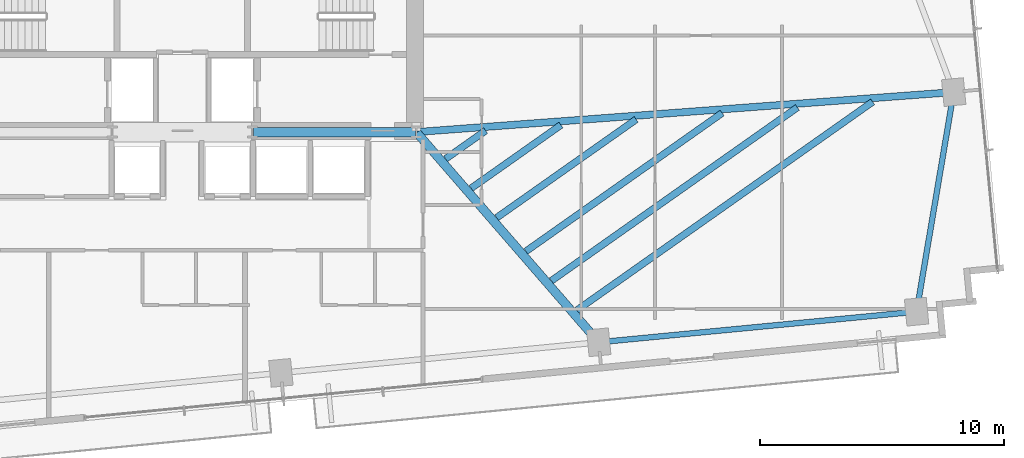
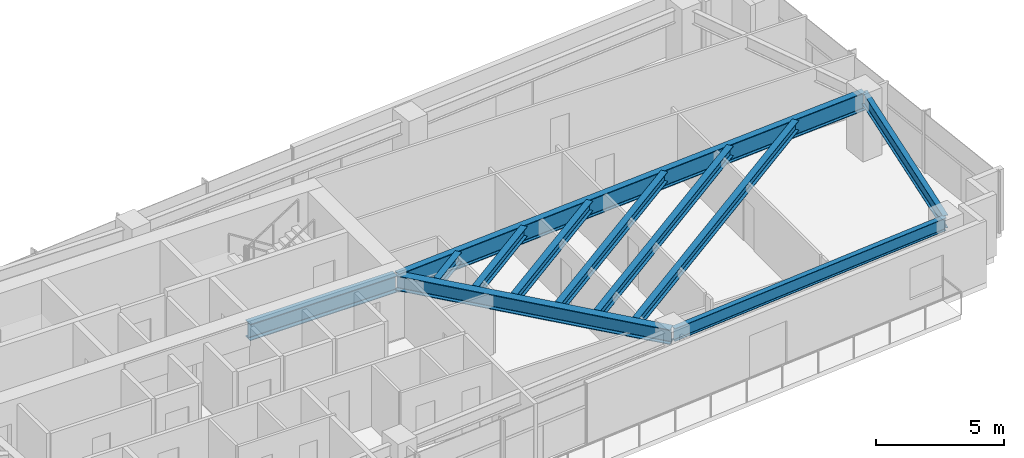
# One storey, part 13 of 25: 11 beams.
"""IFC4 building model written with IfcOpenShell, lengths in metres."""

from ifc_helpers import new_model, si_unit, direction, frame, origin, origin_2d, place, context, subcontext, project, spatial, i_section, extrude, source, transform, mapped, material, material_profile, profile_set, type_object, type_shapes, element, save


model = new_model("IFC4")

# Units and contexts
model_context = context("Model", 3, precision=1e-05, world=origin(), true_north=direction((0.0, 1.0)))
body_context = subcontext(model_context, "Body", "Model", "MODEL_VIEW")
ifc_project = project(units=[si_unit("LENGTHUNIT", "METRE"), si_unit("AREAUNIT", "SQUARE_METRE"), si_unit("VOLUMEUNIT", "CUBIC_METRE"), si_unit("PLANEANGLEUNIT", "RADIAN"), si_unit("MASSUNIT", "GRAM", prefix="KILO")], contexts=[model_context])

# Site, building, storey
site_placement = place(None, origin())
site = spatial("IfcSite", under=ifc_project, at=site_placement, CompositionType="ELEMENT")
building_placement = place(site_placement, origin())
building = spatial("IfcBuilding", under=site, at=building_placement, Name="Astriad Promenade Condominiums", CompositionType="ELEMENT")
storey_placement = place(building_placement, frame((0.0, 0.0, 106.60009765625)))
storey = spatial("IfcBuildingStorey", under=building, at=storey_placement, Name="L30", CompositionType="ELEMENT", Elevation=106.60009765625)

# Beams
ifc_material = material(Name="Steel ASTM A992 Grade 50", Category="steel")
ifc_material_profile_1 = material_profile(ifc_material, i_section(OverallWidth=0.3837890625, OverallDepth=0.785888671875, WebThickness=0.019775390625, FlangeThickness=0.033447265625, FilletRadius=0.021484375, at=origin_2d()), Name="W30X211")
ifc_profile_set_1 = profile_set([ifc_material_profile_1], Name="Steel ASTM A992 Grade 50")
beam_type_1 = type_object("IfcBeamType", Name="STEEL FLOOR GIRDER W30X211", PredefinedType="BEAM", material=ifc_profile_set_1)
shared_shape_1 = source(origin(), body_context, "Body", "SweptSolid", [
    extrude(i_section(OverallWidth=0.3837890625, OverallDepth=0.785888671875, WebThickness=0.019775390625, FlangeThickness=0.033447265625, FilletRadius=0.021484375, at=origin_2d()), origin(), (0.0, 0.0, 1.0), 6.64013671875),
])
type_shapes(beam_type_1, [shared_shape_1])
beam_1_placement = place(storey_placement, frame((38.919921875, 17.39990234375, 2.547119140625), z_axis=(1.0, 0.0, 0.0), x_axis=(0.0, 1.0, 0.0)))
element("IfcBeam", 1, at=beam_1_placement, inside=storey, type_object=beam_type_1, Name="Core Ring Beam CG-S3-L30", PredefinedType="BEAM", context=body_context, shape_type="MappedRepresentation", body=[
    mapped(shared_shape_1, transform((0.0, 0.0, 0.0), scale=1.0)),
])
ifc_material_profile_2 = material_profile(ifc_material, i_section(OverallWidth=0.22900390625, OverallDepth=0.612060546875, WebThickness=0.011962890625, FlangeThickness=0.01953125, FilletRadius=0.017822265625, at=origin_2d()), Name="W24X84")
ifc_profile_set_2 = profile_set([ifc_material_profile_2], Name="Steel ASTM A992 Grade 50")
beam_type_2 = type_object("IfcBeamType", Name="STEEL SPANDREL BEAM W24X84", PredefinedType="SPANDREL", material=ifc_profile_set_2)
shared_shape_2 = source(origin(), body_context, "Body", "SweptSolid", [
    extrude(i_section(OverallWidth=0.22900390625, OverallDepth=0.612060546875, WebThickness=0.011962890625, FlangeThickness=0.01953125, FilletRadius=0.017822265625, at=origin_2d()), origin(), (0.0, 0.0, 1.0), 13.020263671875),
])
beam_2_placement = place(storey_placement, frame((53.124755859375, 8.780029296875, 2.6337890625), z_axis=(0.995395311238, 0.095854965264, 0.0), x_axis=(-0.095854965264, 0.995395311238, 0.0)))
element("IfcBeam", 2, at=beam_2_placement, inside=storey, type_object=beam_type_2, Name="Perimeter Spandrel Beam SP-S4-L30", PredefinedType="SPANDREL", context=body_context, shape_type="MappedRepresentation", body=[
    mapped(shared_shape_2, transform((0.0, 0.0, 0.0), scale=1.0)),
])
shared_shape_3 = source(origin(), body_context, "Body", "SweptSolid", [
    extrude(i_section(OverallWidth=0.22900390625, OverallDepth=0.612060546875, WebThickness=0.011962890625, FlangeThickness=0.01953125, FilletRadius=0.017822265625, at=origin_2d()), origin(), (0.0, 0.0, 1.0), 9.055419921875),
])
type_shapes(beam_type_2, [shared_shape_2, shared_shape_3])
beam_3_placement = place(storey_placement, frame((66.13134765625, 10.0712890625, 2.6337890625), z_axis=(0.166776851291, 0.98599466625, 0.0), x_axis=(-0.98599466625, 0.166776851291, 0.0)))
element("IfcBeam", 3, at=beam_3_placement, inside=storey, type_object=beam_type_2, Name="Perimeter Spandrel Beam SP-E1-L30", PredefinedType="SPANDREL", context=body_context, shape_type="MappedRepresentation", body=[
    mapped(shared_shape_3, transform((0.0, 0.0, 0.0), scale=1.0)),
])
ifc_material_profile_3 = material_profile(ifc_material, i_section(OverallWidth=0.35791015625, OverallDepth=0.706298828125, WebThickness=0.018310546875, FlangeThickness=0.0302734375, FilletRadius=0.020263671875, at=origin_2d()), Name="W27X178")
ifc_profile_set_3 = profile_set([ifc_material_profile_3], Name="Steel ASTM A992 Grade 50")
beam_type_3 = type_object("IfcBeamType", Name="STEEL FLOOR GIRDER W27X178", PredefinedType="BEAM", material=ifc_profile_set_3)
shared_shape_4 = source(origin(), body_context, "Body", "SweptSolid", [
    extrude(i_section(OverallWidth=0.35791015625, OverallDepth=0.706298828125, WebThickness=0.018310546875, FlangeThickness=0.0302734375, FilletRadius=0.020263671875, at=origin_2d()), origin(), (0.0, 0.0, 1.0), 11.339111328125),
])
type_shapes(beam_type_3, [shared_shape_4])
beam_4_placement = place(storey_placement, frame((53.058837890625, 8.806396484375, 2.586669921875), z_axis=(-0.65548120109, 0.755211490258, 0.0), x_axis=(-0.755211490258, -0.65548120109, 0.0)))
element("IfcBeam", 4, at=beam_4_placement, inside=storey, type_object=beam_type_3, Name="Primary Floor Girder PG-E2-L30", PredefinedType="BEAM", context=body_context, shape_type="MappedRepresentation", body=[
    mapped(shared_shape_4, transform((0.0, 0.0, 0.0), scale=1.0)),
])
ifc_material_profile_4 = material_profile(ifc_material, i_section(OverallWidth=0.2919921875, OverallDepth=0.85888671875, WebThickness=0.01708984375, FlangeThickness=0.031005859375, FilletRadius=0.02294921875, at=origin_2d()), Name="W33X169")
ifc_profile_set_4 = profile_set([ifc_material_profile_4], Name="Steel ASTM A992 Grade 50")
beam_type_4 = type_object("IfcBeamType", Name="STEEL PRIMARY GIRDER W33X169", PredefinedType="BEAM", material=ifc_profile_set_4)
shared_shape_5 = source(origin(), body_context, "Body", "SweptSolid", [
    extrude(i_section(OverallWidth=0.2919921875, OverallDepth=0.85888671875, WebThickness=0.01708984375, FlangeThickness=0.031005859375, FilletRadius=0.02294921875, at=origin_2d()), origin(), (0.0, 0.0, 1.0), 22.029052734375),
])
type_shapes(beam_type_4, [shared_shape_5])
beam_5_placement = place(storey_placement, frame((67.6083984375, 19.036376953125, 2.510498046875), z_axis=(-0.99724763887, -0.074142745897, 0.0), x_axis=(0.074142745897, -0.99724763887, 0.0)))
element("IfcBeam", 5, at=beam_5_placement, inside=storey, type_object=beam_type_4, Name="Primary Floor Girder PG-EM-L30", PredefinedType="BEAM", context=body_context, shape_type="MappedRepresentation", body=[
    mapped(shared_shape_5, transform((0.0, 0.0, 0.0), scale=1.0)),
])
ifc_material_profile_5 = material_profile(ifc_material, i_section(OverallWidth=0.283203125, OverallDepth=0.47216796875, WebThickness=0.013671875, FlangeThickness=0.022216796875, FilletRadius=0.01513671875, at=origin_2d()), Name="W18X97")
ifc_profile_set_5 = profile_set([ifc_material_profile_5], Name="Steel ASTM A992 Grade 50")
beam_type_5 = type_object("IfcBeamType", Name="STEEL FLOOR JOIST W18X97", PredefinedType="JOIST", material=ifc_profile_set_5)
shared_shape_6 = source(origin(), body_context, "Body", "SweptSolid", [
    extrude(i_section(OverallWidth=0.283203125, OverallDepth=0.47216796875, WebThickness=0.013671875, FlangeThickness=0.022216796875, FilletRadius=0.01513671875, at=origin_2d()), origin(), (0.0, 0.0, 1.0), 14.838134765625),
])
beam_6_placement = place(storey_placement, frame((52.192138671875, 10.093017578125, 2.703857421875), z_axis=(0.817419044294, 0.576043493171, 0.0), x_axis=(-0.576043493171, 0.817419044294, 0.0)))
element("IfcBeam", 6, at=beam_6_placement, inside=storey, type_object=beam_type_5, Name="Secondary Composite Floor Joist JE1-1-L30", PredefinedType="JOIST", context=body_context, shape_type="MappedRepresentation", body=[
    mapped(shared_shape_6, transform((0.0, 0.0, 0.0), scale=1.0)),
])
shared_shape_7 = source(origin(), body_context, "Body", "SweptSolid", [
    extrude(i_section(OverallWidth=0.283203125, OverallDepth=0.47216796875, WebThickness=0.013671875, FlangeThickness=0.022216796875, FilletRadius=0.01513671875, at=origin_2d()), origin(), (0.0, 0.0, 1.0), 12.34375),
])
beam_7_placement = place(storey_placement, frame((51.144287109375, 11.30029296875, 2.703857421875), z_axis=(0.817418723738, 0.576043948048, 0.0), x_axis=(-0.576043948048, 0.817418723738, 0.0)))
element("IfcBeam", 7, at=beam_7_placement, inside=storey, type_object=beam_type_5, Name="Secondary Composite Floor Joist JE1-2-L30", PredefinedType="JOIST", context=body_context, shape_type="MappedRepresentation", body=[
    mapped(shared_shape_7, transform((0.0, 0.0, 0.0), scale=1.0)),
])
shared_shape_8 = source(origin(), body_context, "Body", "SweptSolid", [
    extrude(i_section(OverallWidth=0.283203125, OverallDepth=0.47216796875, WebThickness=0.013671875, FlangeThickness=0.022216796875, FilletRadius=0.01513671875, at=origin_2d()), origin(), (0.0, 0.0, 1.0), 9.849609375),
])
beam_8_placement = place(storey_placement, frame((50.096435546875, 12.507568359375, 2.703857421875), z_axis=(0.817418240833, 0.5760446333, 0.0), x_axis=(-0.5760446333, 0.817418240833, 0.0)))
element("IfcBeam", 8, at=beam_8_placement, inside=storey, type_object=beam_type_5, Name="Secondary Composite Floor Joist JE1-3-L30", PredefinedType="JOIST", context=body_context, shape_type="MappedRepresentation", body=[
    mapped(shared_shape_8, transform((0.0, 0.0, 0.0), scale=1.0)),
])
shared_shape_9 = source(origin(), body_context, "Body", "SweptSolid", [
    extrude(i_section(OverallWidth=0.283203125, OverallDepth=0.47216796875, WebThickness=0.013671875, FlangeThickness=0.022216796875, FilletRadius=0.01513671875, at=origin_2d()), origin(), (0.0, 0.0, 1.0), 6.9990234375),
])
beam_9_placement = place(storey_placement, frame((48.898681640625, 13.88720703125, 2.703857421875), z_axis=(0.81742196028, 0.576039355298, 0.0), x_axis=(-0.576039355298, 0.81742196028, 0.0)))
element("IfcBeam", 9, at=beam_9_placement, inside=storey, type_object=beam_type_5, Name="Secondary Composite Floor Joist JE1-4-L30", PredefinedType="JOIST", context=body_context, shape_type="MappedRepresentation", body=[
    mapped(shared_shape_9, transform((0.0, 0.0, 0.0), scale=1.0)),
])
shared_shape_10 = source(origin(), body_context, "Body", "SweptSolid", [
    extrude(i_section(OverallWidth=0.283203125, OverallDepth=0.47216796875, WebThickness=0.013671875, FlangeThickness=0.022216796875, FilletRadius=0.01513671875, at=origin_2d()), origin(), (0.0, 0.0, 1.0), 4.504638671875),
])
beam_10_placement = place(storey_placement, frame((47.850830078125, 15.0947265625, 2.703857421875), z_axis=(0.817448215019, 0.576002097012, 0.0), x_axis=(-0.576002097012, 0.817448215019, 0.0)))
element("IfcBeam", 10, at=beam_10_placement, inside=storey, type_object=beam_type_5, Name="Secondary Composite Floor Joist JE1-5-L30", PredefinedType="JOIST", context=body_context, shape_type="MappedRepresentation", body=[
    mapped(shared_shape_10, transform((0.0, 0.0, 0.0), scale=1.0)),
])
shared_shape_11 = source(origin(), body_context, "Body", "SweptSolid", [
    extrude(i_section(OverallWidth=0.283203125, OverallDepth=0.47216796875, WebThickness=0.013671875, FlangeThickness=0.022216796875, FilletRadius=0.01513671875, at=origin_2d()), origin(), (0.0, 0.0, 1.0), 2.01025390625),
])
type_shapes(beam_type_5, [shared_shape_6, shared_shape_7, shared_shape_8, shared_shape_9, shared_shape_10, shared_shape_11])
beam_11_placement = place(storey_placement, frame((46.802978515625, 16.302001953125, 2.703857421875), z_axis=(0.8174421453, 0.576010710913, 0.0), x_axis=(-0.576010710913, 0.8174421453, 0.0)))
element("IfcBeam", 11, at=beam_11_placement, inside=storey, type_object=beam_type_5, Name="Secondary Composite Floor Joist JE1-6-L30", PredefinedType="JOIST", context=body_context, shape_type="MappedRepresentation", body=[
    mapped(shared_shape_11, transform((0.0, 0.0, 0.0), scale=1.0)),
])

save(model, "model.ifc")
